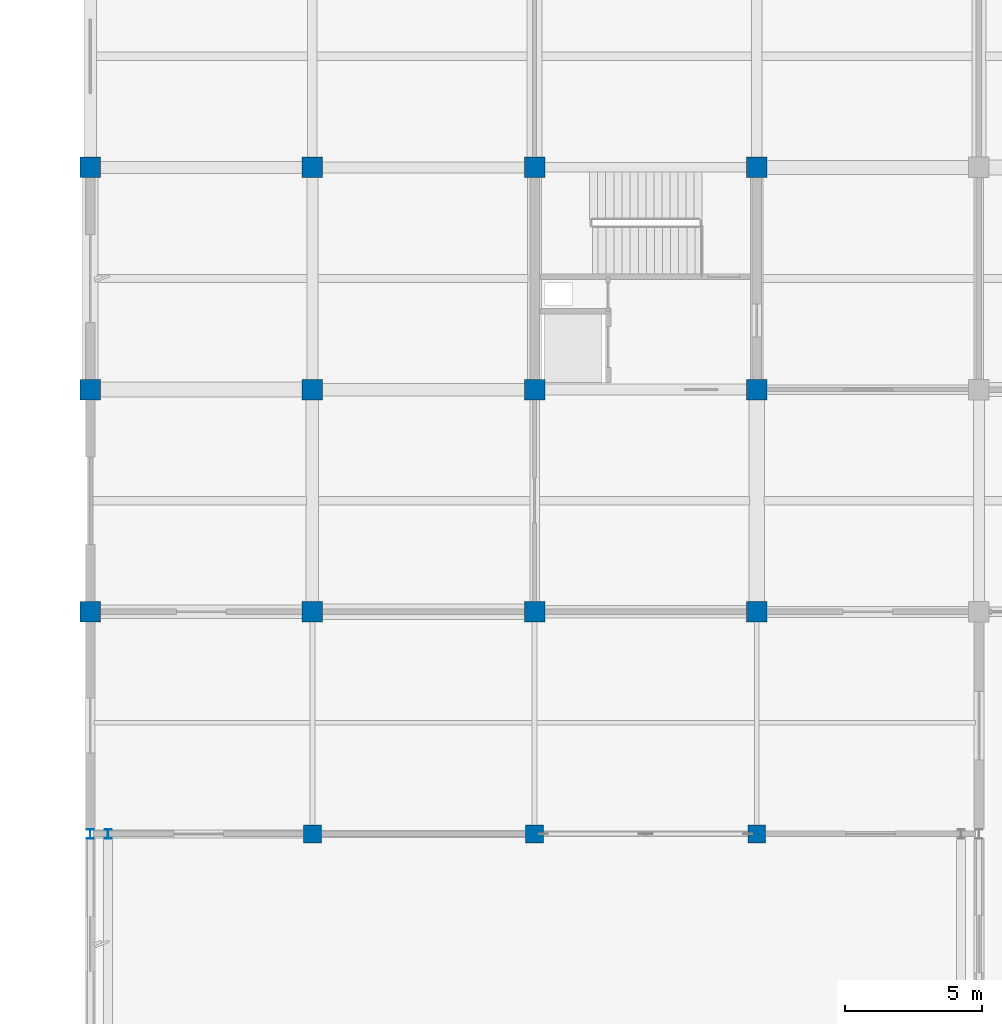
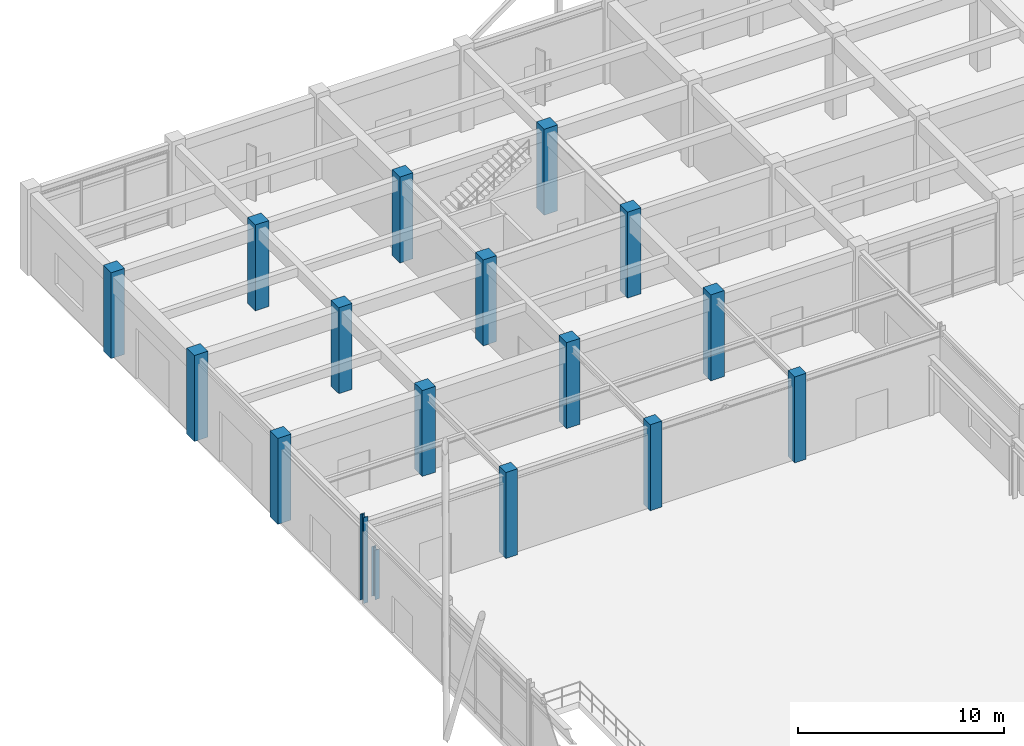
# One storey, part 9 of 99: 17 columns.
"""IFC4 building model written with IfcOpenShell, lengths in metres."""

from ifc_helpers import new_model, si_unit, direction, frame, origin, origin_2d, place, context, subcontext, project, spatial, rectangle, i_section, extrude, material, material_profile, profile_set, type_object, element, save


model = new_model("IFC4")

# Units and contexts
model_context = context("Model", 3, precision=1e-05, world=origin(), true_north=direction((0.0, 1.0)))
body_context = subcontext(model_context, "Body", "Model", "MODEL_VIEW")
ifc_project = project(units=[si_unit("LENGTHUNIT", "METRE"), si_unit("AREAUNIT", "SQUARE_METRE"), si_unit("VOLUMEUNIT", "CUBIC_METRE"), si_unit("PLANEANGLEUNIT", "RADIAN"), si_unit("MASSUNIT", "GRAM", prefix="KILO")], contexts=[model_context])

# Site, building, storey
site_placement = place(None, origin())
site = spatial("IfcSite", under=ifc_project, at=site_placement, CompositionType="ELEMENT")
building_placement = place(site_placement, origin())
building = spatial("IfcBuilding", under=site, at=building_placement, Name="Vaudrelin Polytechnic", CompositionType="ELEMENT")
storey_placement = place(building_placement, origin())
storey = spatial("IfcBuildingStorey", under=building, at=storey_placement, Name="L00", CompositionType="ELEMENT", Elevation=0.0)

# Columns
ifc_material_1 = material(Name="Concrete 40 MPa", Category="concrete")
ifc_material_profile_1 = material_profile(ifc_material_1, rectangle(XDim=0.64990234375, YDim=0.64990234375, at=origin_2d()), Name="RC650x650")
ifc_profile_set_1 = profile_set([ifc_material_profile_1], Name="Concrete 40 MPa")
column_type_1 = type_object("IfcColumnType", Name="COL-C-RC650", PredefinedType="COLUMN", material=ifc_profile_set_1)
for number, where, z_axis, x_axis, name in (
    (1, (8.10009765625, 89.10009765625, 0.0), (0.0, 0.0, 1.0), (1.0, 0.0, 0.0), "Column L00 2-12"),
    (2, (16.199951171875, 89.10009765625, 0.0), (0.0, 0.0, 1.0), (1.0, 0.0, 0.0), "Column L00 3-12"),
    (3, (24.300048828125, 89.10009765625, 0.0), (0.0, 0.0, 1.0), (1.0, 0.0, 0.0), "Column L00 4-12"),
):
    element("IfcColumn", number, at=place(storey_placement, frame(where, z_axis=z_axis, x_axis=x_axis)), inside=storey, type_object=column_type_1, Name=name, PredefinedType="COLUMN", context=body_context, shape_type="SweptSolid", body=[
        extrude(rectangle(XDim=0.64990234375, YDim=0.64990234375, at=origin_2d()), origin(), (0.0, 0.0, 1.0), 5.10009765625),
    ])
ifc_material_2 = material(Name="Concrete 50 MPa", Category="concrete")
ifc_material_profile_2 = material_profile(ifc_material_2, rectangle(XDim=0.75, YDim=0.75, at=origin_2d()), Name="RC750x750")
ifc_profile_set_2 = profile_set([ifc_material_profile_2], Name="Concrete 50 MPa")
column_type_2 = type_object("IfcColumnType", Name="COL-C-RC750", PredefinedType="COLUMN", material=ifc_profile_set_2)
for number, where, z_axis, x_axis, name in (
    (4, (0.0, 97.199951171875, 0.0), (0.0, 0.0, 1.0), (1.0, 0.0, 0.0), "Column L00 1-13"),
    (5, (0.0, 105.300048828125, 0.0), (0.0, 0.0, 1.0), (1.0, 0.0, 0.0), "Column L00 1-14"),
    (6, (0.0, 113.39990234375, 0.0), (0.0, 0.0, 1.0), (1.0, 0.0, 0.0), "Column L00 1-15"),
    (7, (8.10009765625, 97.199951171875, 0.0), (0.0, 0.0, 1.0), (1.0, 0.0, 0.0), "Column L00 2-13"),
    (8, (8.10009765625, 105.300048828125, 0.0), (0.0, 0.0, 1.0), (1.0, 0.0, 0.0), "Column L00 2-14"),
    (9, (8.10009765625, 113.39990234375, 0.0), (0.0, 0.0, 1.0), (1.0, 0.0, 0.0), "Column L00 2-15"),
    (10, (16.199951171875, 97.199951171875, 0.0), (0.0, 0.0, 1.0), (1.0, 0.0, 0.0), "Column L00 3-13"),
    (11, (16.199951171875, 105.300048828125, 0.0), (0.0, 0.0, 1.0), (1.0, 0.0, 0.0), "Column L00 3-14"),
    (12, (16.199951171875, 113.39990234375, 0.0), (0.0, 0.0, 1.0), (1.0, 0.0, 0.0), "Column L00 3-15"),
    (13, (24.300048828125, 97.199951171875, 0.0), (0.0, 0.0, 1.0), (1.0, 0.0, 0.0), "Column L00 4-13"),
    (14, (24.300048828125, 105.300048828125, 0.0), (0.0, 0.0, 1.0), (1.0, 0.0, 0.0), "Column L00 4-14"),
    (15, (24.300048828125, 113.39990234375, 0.0), (0.0, 0.0, 1.0), (1.0, 0.0, 0.0), "Column L00 4-15"),
):
    element("IfcColumn", number, at=place(storey_placement, frame(where, z_axis=z_axis, x_axis=x_axis)), inside=storey, type_object=column_type_2, Name=name, PredefinedType="COLUMN", context=body_context, shape_type="SweptSolid", body=[
        extrude(rectangle(XDim=0.75, YDim=0.75, at=origin_2d()), origin(), (0.0, 0.0, 1.0), 5.10009765625),
    ])
ifc_material_3 = material(Name="Steel CSA G40.21 350W", Category="steel")
ifc_material_profile_3 = material_profile(ifc_material_3, i_section(OverallWidth=0.25390625, OverallDepth=0.35302734375, WebThickness=0.009521484375, FlangeThickness=0.016357421875, FilletRadius=0.01611328125, at=origin_2d()), Name="W360x91")
ifc_profile_set_3 = profile_set([ifc_material_profile_3], Name="Steel CSA G40.21 350W")
column_type_3 = type_object("IfcColumnType", Name="COL-C-W360", PredefinedType="PILASTER", material=ifc_profile_set_3)
column_1_placement = place(storey_placement, frame((0.0, 89.10009765625, 0.0), z_axis=(0.0, 0.0, 1.0), x_axis=(1.0, 0.0, 0.0)))
element("IfcColumn", 16, at=column_1_placement, inside=storey, type_object=column_type_3, Name="Column L00 1-12", PredefinedType="PILASTER", context=body_context, shape_type="SweptSolid", body=[
    extrude(i_section(OverallWidth=0.25390625, OverallDepth=0.35302734375, WebThickness=0.009521484375, FlangeThickness=0.016357421875, FilletRadius=0.01611328125, at=origin_2d()), origin(), (0.0, 0.0, 1.0), 5.10009765625),
])
column_2_placement = place(storey_placement, frame((0.64990234375, 89.10009765625, 0.0), z_axis=(0.0, 0.0, 1.0), x_axis=(1.0, 0.0, 0.0)))
element("IfcColumn", 17, at=column_2_placement, inside=storey, type_object=column_type_3, Name="Crane runway support post WEST-11", PredefinedType="PILASTER", context=body_context, shape_type="SweptSolid", body=[
    extrude(i_section(OverallWidth=0.25390625, OverallDepth=0.35302734375, WebThickness=0.009521484375, FlangeThickness=0.016357421875, FilletRadius=0.01611328125, at=origin_2d()), origin(), (0.0, 0.0, 1.0), 2.943115234375),
])

save(model, "model.ifc")
